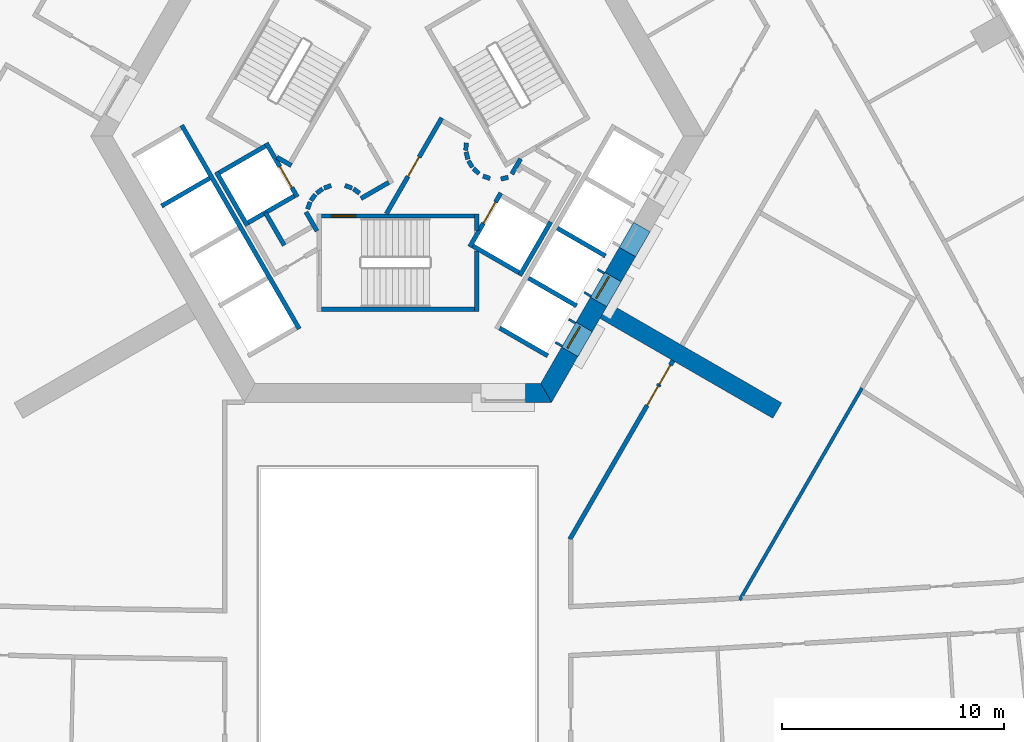
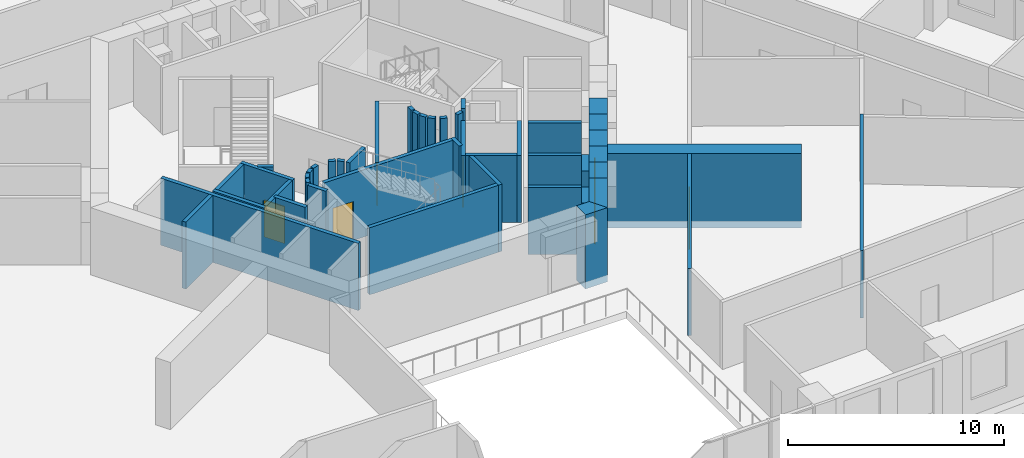
# One storey, part 6 of 15: 46 walls, 8 doors, 8 openings.
"""IFC4 building model written with IfcOpenShell, lengths in metres."""

from ifc_helpers import new_model, si_unit, direction, frame, frame_2d, origin, place, context, subcontext, project, spatial, polyline, rectangle, outline, extrude, material, layer, layer_set, type_object, element, fill, save


model = new_model("IFC4")

# Units and contexts
model_context = context("Model", 3, precision=1e-05, world=origin(), true_north=direction((0.0, 1.0)))
body_context = subcontext(model_context, "Body", "Model", "MODEL_VIEW")
ifc_project = project(units=[si_unit("LENGTHUNIT", "METRE"), si_unit("AREAUNIT", "SQUARE_METRE"), si_unit("VOLUMEUNIT", "CUBIC_METRE"), si_unit("PLANEANGLEUNIT", "RADIAN"), si_unit("MASSUNIT", "GRAM", prefix="KILO")], contexts=[model_context])

# Site, building, storey
site_placement = place(None, origin())
site = spatial("IfcSite", under=ifc_project, at=site_placement, CompositionType="ELEMENT")
building_placement = place(site_placement, origin())
building = spatial("IfcBuilding", under=site, at=building_placement, Name="Entoto Arch Interchange Tower", CompositionType="ELEMENT")
storey_placement = place(building_placement, frame((0.0, 0.0, 124.39990234375)))
storey = spatial("IfcBuildingStorey", under=building, at=storey_placement, Name="L27", CompositionType="ELEMENT", Elevation=124.39990234375)

# Walls
ifc_material_1 = material(Name="Concrete C60/75", Category="concrete")
ifc_layer_1 = layer(ifc_material_1, 0.800048828125)
ifc_layer_set_1 = layer_set([ifc_layer_1], Name="Concrete C60/75")
wall_type_1 = type_object("IfcWallType", Name="Buttress wall 800 C60/75", PredefinedType="SHEAR", material=ifc_layer_set_1)
wall_1_placement = place(storey_placement, frame((9.31005859375, -5.375, -0.39990234375), z_axis=(0.0, 0.0, 1.0), x_axis=(0.866017533419, -0.500013631625, 0.0)))
element("IfcWall", 1, at=wall_1_placement, inside=storey, type_object=wall_type_1, Name="Buttress wall SE L27", PredefinedType="SHEAR", context=body_context, shape_type="SweptSolid", body=[
    extrude(rectangle(XDim=8.999755859375, YDim=0.800048828125, at=frame_2d((4.5, 0.0))), origin(), (0.0, 0.0, 1.0), 4.199951171875),
])
ifc_layer_2 = layer(ifc_material_1, 0.85009765625)
ifc_layer_set_2 = layer_set([ifc_layer_2], Name="Concrete C60/75")
wall_type_2 = type_object("IfcWallType", Name="Core wall 850 C60/75", PredefinedType="SHEAR", material=ifc_layer_set_2)
wall_2_placement = place(storey_placement, frame((0.0, 0.0, -0.39990234375)))
element("IfcWall", 2, at=wall_2_placement, inside=storey, type_object=wall_type_2, Name="Core wall S L27", PredefinedType="SHEAR", context=body_context, shape_type="SweptSolid", body=[
    extrude(outline(polyline([(5.75, -8.64990234375), (5.75, -9.5), (6.927978515625, -9.5), (6.43701171875, -8.64990234375), (5.75, -8.64990234375)])), origin(), (0.0, 0.0, 1.0), 4.199951171875),
])
wall_3_placement = place(storey_placement, frame((0.0, 0.0, -0.39990234375)))
element("IfcWall", 3, at=wall_3_placement, inside=storey, type_object=wall_type_2, Name="Core wall SE L27", PredefinedType="SHEAR", context=body_context, shape_type="SweptSolid", body=[
    extrude(outline(polyline([(8.116943359375, -7.43994140625), (7.381103515625, -7.014892578125), (6.43701171875, -8.64990234375), (6.927978515625, -9.5), (8.116943359375, -7.43994140625)])), origin(), (0.0, 0.0, 1.0), 4.199951171875),
])
wall_4_placement = place(storey_placement, frame((0.0, 0.0, -0.39990234375)))
element("IfcWall", 4, at=wall_4_placement, inside=storey, type_object=wall_type_2, Name="Core wall SE L27", PredefinedType="SHEAR", context=body_context, shape_type="SweptSolid", body=[
    extrude(outline(polyline([(9.4169921875, -5.18896484375), (8.680908203125, -4.763916015625), (8.031005859375, -5.888916015625), (8.76708984375, -6.31396484375), (9.4169921875, -5.18896484375)])), origin(), (0.0, 0.0, 1.0), 4.199951171875),
])
wall_5_placement = place(storey_placement, frame((0.0, 0.0, -0.39990234375)))
element("IfcWall", 5, at=wall_5_placement, inside=storey, type_object=wall_type_2, Name="Core wall SE L27", PredefinedType="SHEAR", context=body_context, shape_type="SweptSolid", body=[
    extrude(outline(polyline([(10.717041015625, -2.93701171875), (9.98095703125, -2.511962890625), (9.3310546875, -3.637939453125), (10.06689453125, -4.06298828125), (10.717041015625, -2.93701171875)])), origin(), (0.0, 0.0, 1.0), 4.199951171875),
])
wall_6_placement = place(storey_placement, frame((0.0, 0.0, 3.60009765625)))
element("IfcWall", 6, at=wall_6_placement, inside=storey, type_object=wall_type_2, Name="Core wall lintel SE L27", PredefinedType="SHEAR", context=body_context, shape_type="SweptSolid", body=[
    extrude(outline(polyline([(8.76708984375, -6.31396484375), (8.031005859375, -5.888916015625), (7.381103515625, -7.014892578125), (8.116943359375, -7.43994140625), (8.76708984375, -6.31396484375)])), origin(), (0.0, 0.0, 1.0), 0.199951171875),
])
wall_7_placement = place(storey_placement, frame((0.0, 0.0, 3.60009765625)))
element("IfcWall", 7, at=wall_7_placement, inside=storey, type_object=wall_type_2, Name="Core wall lintel SE L27", PredefinedType="SHEAR", context=body_context, shape_type="SweptSolid", body=[
    extrude(outline(polyline([(10.06689453125, -4.06298828125), (9.3310546875, -3.637939453125), (8.680908203125, -4.763916015625), (9.4169921875, -5.18896484375), (10.06689453125, -4.06298828125)])), origin(), (0.0, 0.0, 1.0), 0.199951171875),
])
wall_8_placement = place(storey_placement, frame((0.0, 0.0, 3.60009765625)))
element("IfcWall", 8, at=wall_8_placement, inside=storey, type_object=wall_type_2, Name="Core wall lintel SE L27", PredefinedType="SHEAR", context=body_context, shape_type="SweptSolid", body=[
    extrude(outline(polyline([(11.366943359375, -1.81103515625), (10.631103515625, -1.385986328125), (9.98095703125, -2.511962890625), (10.717041015625, -2.93701171875), (11.366943359375, -1.81103515625)])), origin(), (0.0, 0.0, 1.0), 0.199951171875),
])

# Wall, opening, door
ifc_material_2 = material(Name="Concrete C40/50", Category="concrete")
ifc_layer_3 = layer(ifc_material_2, 1.199951171875)
ifc_layer_set_3 = layer_set([ifc_layer_3], Name="Concrete C40/50")
wall_type_3 = type_object("IfcWallType", Name="LIFT LANDING INFILL WALL", PredefinedType="STANDARD", material=ifc_layer_set_3)
wall_9_placement = place(storey_placement, frame((7.597900390625, -7.139892578125, 0.0), z_axis=(0.0, 0.0, 1.0), x_axis=(0.500362116554, 0.865816234728, 0.0)))
wall_9 = element("IfcWall", 9, at=wall_9_placement, inside=storey, type_object=wall_type_3, Name="Lift landing infill wall LR5 L27", PredefinedType="STANDARD", context=body_context, shape_type="SweptSolid", body=[
    extrude(rectangle(XDim=1.29931640625, YDim=1.199951171875, at=frame_2d((0.649658203125, 0.0))), origin(), (0.0, 0.0, 1.0), 2.400146484375),
])
opening_1_placement = place(wall_9_placement, frame((0.10009765625, 0.0, 0.0)))
opening_1 = element("IfcOpeningElement", 10, at=opening_1_placement, cuts=wall_9, Name="Opening LD-LR5-L27", PredefinedType="OPENING", context=body_context, shape_type="SweptSolid", body=[
    extrude(rectangle(XDim=1.10009765625, YDim=2.300048828125, at=frame_2d((0.550048828125, 1.14990234375))), frame((0.0, 0.60986328125, 0.0), z_axis=(0.0, -1.0, 0.0), x_axis=(1.0, 0.0, 0.0)), (0.0, 0.0, 1.0), 1.219970703125),
])
ifc_material_3 = material(Name="Stainless steel 1.4301 panels", Category="steel")
door_type_1 = type_object("IfcDoorType", Name="LIFT LANDING DOOR LD2 1100x2300", OperationType="SLIDING_TO_LEFT", PredefinedType="DOOR", material=ifc_material_3)
door_1_placement = place(opening_1_placement, origin())
door_1 = element("IfcDoor", 11, at=door_1_placement, inside=storey, type_object=door_type_1, Name="Lift landing door LR5 L27", OperationType="SLIDING_TO_LEFT", OverallHeight=2.300048828125, OverallWidth=1.10009765625, PredefinedType="DOOR", context=body_context, shape_type="SweptSolid", body=[
    extrude(rectangle(XDim=1.10009765625, YDim=2.300048828125, at=frame_2d((0.550048828125, 1.14990234375))), frame((0.0, 0.02490234375, 0.0), z_axis=(0.0, -1.0, 0.0), x_axis=(1.0, 0.0, 0.0)), (0.0, 0.0, 1.0), 0.050048828125),
])
fill(opening_1, door_1)

wall_10_placement = place(storey_placement, frame((8.89794921875, -4.888916015625, 0.0), z_axis=(0.0, 0.0, 1.0), x_axis=(0.500036693733, 0.866004217611, 0.0)))
wall_10 = element("IfcWall", 12, at=wall_10_placement, inside=storey, type_object=wall_type_3, Name="Lift landing infill wall LR6 L27", PredefinedType="STANDARD", context=body_context, shape_type="SweptSolid", body=[
    extrude(rectangle(XDim=1.30029296875, YDim=1.199951171875, at=frame_2d((0.650146484375, 0.0))), origin(), (0.0, 0.0, 1.0), 2.400146484375),
])
opening_2_placement = place(wall_10_placement, frame((0.10009765625, 0.0, 0.0)))
opening_2 = element("IfcOpeningElement", 13, at=opening_2_placement, cuts=wall_10, Name="Opening LD-LR6-L27", PredefinedType="OPENING", context=body_context, shape_type="SweptSolid", body=[
    extrude(rectangle(XDim=1.10009765625, YDim=2.300048828125, at=frame_2d((0.550048828125, 1.14990234375))), frame((0.0, 0.60986328125, 0.0), z_axis=(0.0, -1.0, 0.0), x_axis=(1.0, 0.0, 0.0)), (0.0, 0.0, 1.0), 1.219970703125),
])
door_2_placement = place(opening_2_placement, origin())
door_2 = element("IfcDoor", 14, at=door_2_placement, inside=storey, type_object=door_type_1, Name="Lift landing door LR6 L27", OperationType="SLIDING_TO_LEFT", OverallHeight=2.300048828125, OverallWidth=1.10009765625, PredefinedType="DOOR", context=body_context, shape_type="SweptSolid", body=[
    extrude(rectangle(XDim=1.10009765625, YDim=2.300048828125, at=frame_2d((0.550048828125, 1.14990234375))), frame((0.0, 0.02490234375, 0.0), z_axis=(0.0, -1.0, 0.0), x_axis=(1.0, 0.0, 0.0)), (0.0, 0.0, 1.0), 0.050048828125),
])
fill(opening_2, door_2)

ifc_layer_4 = layer(ifc_material_2, 0.199951171875)
ifc_layer_set_4 = layer_set([ifc_layer_4], Name="Concrete C40/50")
wall_type_4 = type_object("IfcWallType", Name="LIFT SHAFT WALL 200", PredefinedType="STANDARD", material=ifc_layer_set_4)
wall_11_placement = place(storey_placement, frame((-5.93994140625, 2.18798828125, 0.0), z_axis=(0.0, 0.0, 1.0), x_axis=(0.49994636267, -0.866056369097, 0.0)))
wall_11 = element("IfcWall", 15, at=wall_11_placement, inside=storey, type_object=wall_type_4, Name="Shaft wall SW1 front", PredefinedType="STANDARD", context=body_context, shape_type="SweptSolid", body=[
    extrude(rectangle(XDim=2.800048828125, YDim=0.199951171875, at=frame_2d((1.39990234375, 0.0))), origin(), (0.0, 0.0, 1.0), 3.800048828125),
])
opening_3_placement = place(wall_11_placement, frame((1.22509765625, 0.0, 0.0)))
opening_3 = element("IfcOpeningElement", 16, at=opening_3_placement, cuts=wall_11, Name="Opening LD-FF2-L27", PredefinedType="OPENING", context=body_context, shape_type="SweptSolid", body=[
    extrude(rectangle(XDim=1.10009765625, YDim=2.10009765625, at=frame_2d((0.550048828125, 1.050048828125))), frame((0.0, 0.10986328125, 0.0), z_axis=(0.0, -1.0, 0.0), x_axis=(1.0, 0.0, 0.0)), (0.0, 0.0, 1.0), 0.219970703125),
])
door_type_2 = type_object("IfcDoorType", Name="LIFT LANDING DOOR LD1 1100x2100", OperationType="SLIDING_TO_LEFT", PredefinedType="DOOR", material=ifc_material_3)
door_3_placement = place(opening_3_placement, origin())
door_3 = element("IfcDoor", 17, at=door_3_placement, inside=storey, type_object=door_type_2, Name="Lift landing door FF2 L27", OperationType="SLIDING_TO_LEFT", OverallHeight=2.10009765625, OverallWidth=1.10009765625, PredefinedType="DOOR", context=body_context, shape_type="SweptSolid", body=[
    extrude(rectangle(XDim=1.10009765625, YDim=2.10009765625, at=frame_2d((0.550048828125, 1.050048828125))), frame((0.0, 0.02490234375, 0.0), z_axis=(0.0, -1.0, 0.0), x_axis=(1.0, 0.0, 0.0)), (0.0, 0.0, 1.0), 0.050048828125),
])
fill(opening_3, door_3)

# Walls
wall_12_placement = place(storey_placement, frame((-8.19189453125, 0.887939453125, 0.0), z_axis=(0.0, 0.0, 1.0), x_axis=(0.49994636267, -0.866056369097, 0.0)))
element("IfcWall", 18, at=wall_12_placement, inside=storey, type_object=wall_type_4, Name="Shaft wall SW1 back", PredefinedType="STANDARD", context=body_context, shape_type="SweptSolid", body=[
    extrude(rectangle(XDim=2.800048828125, YDim=0.199951171875, at=frame_2d((1.39990234375, 0.0))), origin(), (0.0, 0.0, 1.0), 3.800048828125),
])
for number, where, z_axis, x_axis, name in (
    (19, (-5.97705078125, 2.052001953125, 0.0), (0.0, 0.0, 1.0), (-0.865973769406, -0.500089422704, 0.0), "Shaft wall SW1 cross 1"),
    (20, (-4.677001953125, -0.199951171875, 0.0), (0.0, 0.0, 1.0), (-0.865973769406, -0.500089422704, 0.0), "Shaft wall SW1 cross 2"),
):
    element("IfcWall", number, at=place(storey_placement, frame(where, z_axis=z_axis, x_axis=x_axis)), inside=storey, type_object=wall_type_4, Name=name, PredefinedType="STANDARD", context=body_context, shape_type="SweptSolid", body=[
        extrude(rectangle(XDim=2.3994140625, YDim=0.199951171875, at=frame_2d((1.19970703125, 0.0))), origin(), (0.0, 0.0, 1.0), 3.800048828125),
    ])
wall_13_placement = place(storey_placement, frame((-9.7509765625, 2.989990234375, 0.0), z_axis=(0.0, 0.0, 1.0), x_axis=(0.50000090737, -0.866024879913, 0.0)))
element("IfcWall", 21, at=wall_13_placement, inside=storey, type_object=wall_type_4, Name="Shaft wall SW3 front", PredefinedType="STANDARD", context=body_context, shape_type="SweptSolid", body=[
    extrude(rectangle(XDim=10.60009765625, YDim=0.199951171875, at=frame_2d((5.300048828125, 0.0))), origin(), (0.0, 0.0, 1.0), 3.800048828125),
])
wall_14_placement = place(storey_placement, frame((-8.488037109375, 0.60205078125, 0.0), z_axis=(0.0, 0.0, 1.0), x_axis=(-0.866022959057, -0.500004234368, 0.0)))
element("IfcWall", 22, at=wall_14_placement, inside=storey, type_object=wall_type_4, Name="Shaft wall SW3 cross 2", PredefinedType="STANDARD", context=body_context, shape_type="SweptSolid", body=[
    extrude(rectangle(XDim=2.5, YDim=0.199951171875, at=frame_2d((1.25, 0.0))), origin(), (0.0, 0.0, 1.0), 3.800048828125),
])

# Wall, opening, door
wall_15_placement = place(storey_placement, frame((3.239990234375, -2.488037109375, 0.0), z_axis=(0.0, 0.0, 1.0), x_axis=(0.49994636267, 0.866056369097, 0.0)))
wall_15 = element("IfcWall", 23, at=wall_15_placement, inside=storey, type_object=wall_type_4, Name="Shaft wall SE1 front", PredefinedType="STANDARD", context=body_context, shape_type="SweptSolid", body=[
    extrude(rectangle(XDim=2.800048828125, YDim=0.199951171875, at=frame_2d((1.39990234375, 0.0))), origin(), (0.0, 0.0, 1.0), 3.800048828125),
])
opening_4_placement = place(wall_15_placement, frame((1.22509765625, 0.0, 0.0)))
opening_4 = element("IfcOpeningElement", 24, at=opening_4_placement, cuts=wall_15, Name="Opening LD-FF1-L27", PredefinedType="OPENING", context=body_context, shape_type="SweptSolid", body=[
    extrude(rectangle(XDim=1.10009765625, YDim=2.10009765625, at=frame_2d((0.550048828125, 1.050048828125))), frame((0.0, 0.10986328125, 0.0), z_axis=(0.0, -1.0, 0.0), x_axis=(1.0, 0.0, 0.0)), (0.0, 0.0, 1.0), 0.219970703125),
])
door_4_placement = place(opening_4_placement, origin())
door_4 = element("IfcDoor", 25, at=door_4_placement, inside=storey, type_object=door_type_2, Name="Lift landing door FF1 L27", OperationType="SLIDING_TO_LEFT", OverallHeight=2.10009765625, OverallWidth=1.10009765625, PredefinedType="DOOR", context=body_context, shape_type="SweptSolid", body=[
    extrude(rectangle(XDim=1.10009765625, YDim=2.10009765625, at=frame_2d((0.550048828125, 1.050048828125))), frame((0.0, 0.02490234375, 0.0), z_axis=(0.0, -1.0, 0.0), x_axis=(1.0, 0.0, 0.0)), (0.0, 0.0, 1.0), 0.050048828125),
])
fill(opening_4, door_4)

# Walls
wall_16_placement = place(storey_placement, frame((5.491943359375, -3.7880859375, 0.0), z_axis=(0.0, 0.0, 1.0), x_axis=(0.500011755427, 0.866018616679, 0.0)))
element("IfcWall", 26, at=wall_16_placement, inside=storey, type_object=wall_type_4, Name="Shaft wall SE1 back", PredefinedType="STANDARD", context=body_context, shape_type="SweptSolid", body=[
    extrude(rectangle(XDim=2.80029296875, YDim=0.199951171875, at=frame_2d((1.400146484375, 0.0))), origin(), (0.0, 0.0, 1.0), 3.800048828125),
])
wall_17_placement = place(storey_placement, frame((3.376953125, -2.451904296875, 0.0), z_axis=(0.0, 0.0, 1.0), x_axis=(0.865955154139, -0.50012165622, 0.0)))
element("IfcWall", 27, at=wall_17_placement, inside=storey, type_object=wall_type_4, Name="Shaft wall SE1 cross 1", PredefinedType="STANDARD", context=body_context, shape_type="SweptSolid", body=[
    extrude(rectangle(XDim=2.39990234375, YDim=0.199951171875, at=frame_2d((1.199951171875, 0.0))), origin(), (0.0, 0.0, 1.0), 3.800048828125),
])
for number, where, z_axis, x_axis, name in (
    (28, (4.587890625, -6.153076171875, 0.0), (0.0, 0.0, 1.0), (0.866022959057, -0.500004234368, 0.0), "Shaft wall SE3 cross 1"),
    (29, (5.887939453125, -3.902099609375, 0.0), (0.0, 0.0, 1.0), (0.866022959057, -0.500004234368, 0.0), "Shaft wall SE3 cross 2"),
    (30, (7.18798828125, -1.64990234375, 0.0), (0.0, 0.0, 1.0), (0.866022959057, -0.500004234368, 0.0), "Shaft wall SE3 cross 3"),
):
    element("IfcWall", number, at=place(storey_placement, frame(where, z_axis=z_axis, x_axis=x_axis)), inside=storey, type_object=wall_type_4, Name=name, PredefinedType="STANDARD", context=body_context, shape_type="SweptSolid", body=[
        extrude(rectangle(XDim=2.5, YDim=0.199951171875, at=frame_2d((1.25, 0.0))), origin(), (0.0, 0.0, 1.0), 3.800048828125),
    ])
ifc_material_4 = material(Name="Gypsum board partition on steel studs", Category="steel")
ifc_layer_5 = layer(ifc_material_4, 0.14990234375)
ifc_layer_set_5 = layer_set([ifc_layer_5], Name="Gypsum board partition on steel studs")
wall_type_5 = type_object("IfcWallType", Name="PARTITION 150", PredefinedType="PARTITIONING", material=ifc_layer_set_5)
wall_18_placement = place(storey_placement, frame((20.924072265625, -8.85791015625, 0.0), z_axis=(0.0, 0.0, 1.0), x_axis=(-0.499996828157, -0.866027235041, 0.0)))
element("IfcWall", 31, at=wall_18_placement, inside=storey, type_object=wall_type_5, Name="wall:L27:p130", PredefinedType="PARTITIONING", context=body_context, shape_type="SweptSolid", body=[
    extrude(rectangle(XDim=11.0400390625, YDim=0.14990234375, at=frame_2d((5.52001953125, 0.0))), origin(), (0.0, 0.0, 1.0), 3.800048828125),
])
ifc_layer_6 = layer(ifc_material_4, 0.199951171875)
ifc_layer_set_6 = layer_set([ifc_layer_6], Name="Gypsum board partition on steel studs")
wall_type_6 = type_object("IfcWallType", Name="PARTITION 200", PredefinedType="PARTITIONING", material=ifc_layer_set_6)
wall_19_placement = place(storey_placement, frame((5.135009765625, 0.79296875, 0.0), z_axis=(0.0, 0.0, 1.0), x_axis=(0.499526442893, 0.866298639529, 0.0)))
element("IfcWall", 32, at=wall_19_placement, inside=storey, type_object=wall_type_6, Name="wall:L27:p089", PredefinedType="PARTITIONING", context=body_context, shape_type="SweptSolid", body=[
    extrude(rectangle(XDim=0.790771484375, YDim=0.199951171875, at=frame_2d((0.3955078125, 0.0))), origin(), (0.0, 0.0, 1.0), 3.800048828125),
])
wall_20_placement = place(storey_placement, frame((-5.1259765625, -2.422119140625, 0.0), z_axis=(0.0, 0.0, 1.0), x_axis=(-0.500062241894, 0.865989465428, 0.0)))
element("IfcWall", 33, at=wall_20_placement, inside=storey, type_object=wall_type_6, Name="wall:L27:p091", PredefinedType="PARTITIONING", context=body_context, shape_type="SweptSolid", body=[
    extrude(rectangle(XDim=1.699951171875, YDim=0.199951171875, at=frame_2d((0.85009765625, 0.0))), origin(), (0.0, 0.0, 1.0), 3.800048828125),
])
wall_21_placement = place(storey_placement, frame((-4.14501953125, -0.919921875, 0.0), z_axis=(0.0, 0.0, 1.0), x_axis=(0.499743786207, -0.866173278362, 0.0)))
element("IfcWall", 34, at=wall_21_placement, inside=storey, type_object=wall_type_6, Name="wall:L27:p094", PredefinedType="PARTITIONING", context=body_context, shape_type="SweptSolid", body=[
    extrude(rectangle(XDim=0.99072265625, YDim=0.199951171875, at=frame_2d((0.495361328125, 0.0))), origin(), (0.0, 0.0, 1.0), 3.800048828125),
])

# Wall, opening, door
wall_22_placement = place(storey_placement, frame((-0.52001953125, -1.0, 0.0), z_axis=(0.0, 0.0, 1.0), x_axis=(0.50011622646, 0.865958290007, 0.0)))
wall_22 = element("IfcWall", 35, at=wall_22_placement, inside=storey, type_object=wall_type_6, Name="wall:L27:p099", PredefinedType="PARTITIONING", context=body_context, shape_type="SweptSolid", body=[
    extrude(rectangle(XDim=4.990966796875, YDim=0.199951171875, at=frame_2d((2.49560546875, 0.0))), origin(), (0.0, 0.0, 1.0), 3.800048828125),
])
opening_5_placement = place(wall_22_placement, frame((1.945068359375, 0.0, 0.0)))
opening_5 = element("IfcOpeningElement", 36, at=opening_5_placement, cuts=wall_22, Name="Opening L27-D35", PredefinedType="OPENING", context=body_context, shape_type="SweptSolid", body=[
    extrude(rectangle(XDim=1.0, YDim=2.10009765625, at=frame_2d((0.5, 1.050048828125))), frame((0.0, 0.10986328125, 0.0), z_axis=(0.0, -1.0, 0.0), x_axis=(1.0, 0.0, 0.0)), (0.0, 0.0, 1.0), 0.219970703125),
])
ifc_material_5 = material(Name="Fire-rated Steel S235 door and frame", Category="steel")
door_type_3 = type_object("IfcDoorType", Name="DOOR FD-10 1000x2100", OperationType="SINGLE_SWING_LEFT", PredefinedType="DOOR", material=ifc_material_5)
door_5_placement = place(opening_5_placement, origin())
door_5 = element("IfcDoor", 37, at=door_5_placement, inside=storey, type_object=door_type_3, Name="door:L27:35", OperationType="SINGLE_SWING_LEFT", OverallHeight=2.10009765625, OverallWidth=1.0, PredefinedType="DOOR", context=body_context, shape_type="SweptSolid", body=[
    extrude(rectangle(XDim=1.0, YDim=2.10009765625, at=frame_2d((0.5, 1.050048828125))), frame((0.0, 0.02490234375, 0.0), z_axis=(0.0, -1.0, 0.0), x_axis=(1.0, 0.0, 0.0)), (0.0, 0.0, 1.0), 0.050048828125),
])
fill(opening_5, door_5)

# Walls
wall_23_placement = place(storey_placement, frame((3.0791015625, 2.198974609375, 0.0), z_axis=(0.0, 0.0, 1.0), x_axis=(-0.047771483479, -0.998858290933, 0.0)))
element("IfcWall", 38, at=wall_23_placement, inside=storey, type_object=wall_type_6, Name="wall:L27:p101", PredefinedType="PARTITIONING", context=body_context, shape_type="SweptSolid", body=[
    extrude(rectangle(XDim=0.33740234375, YDim=0.199951171875, at=frame_2d((0.168701171875, 0.0))), origin(), (0.0, 0.0, 1.0), 3.800048828125),
])
wall_24_placement = place(storey_placement, frame((3.070068359375, 1.785888671875, 0.0), z_axis=(0.0, 0.0, 1.0), x_axis=(0.242705583207, -0.970099994784, 0.0)))
element("IfcWall", 39, at=wall_24_placement, inside=storey, type_object=wall_type_6, Name="wall:L27:p102", PredefinedType="PARTITIONING", context=body_context, shape_type="SweptSolid", body=[
    extrude(rectangle(XDim=0.337890625, YDim=0.199951171875, at=frame_2d((0.1689453125, 0.0))), origin(), (0.0, 0.0, 1.0), 3.800048828125),
])
for number, where, z_axis, x_axis, name in (
    (40, (3.181884765625, 1.387939453125, 0.0), (0.0, 0.0, 1.0), (0.512474702713, -0.85870232274, 0.0), "wall:L27:p103"),
    (41, (3.404052734375, 1.0390625, 0.0), (0.0, 0.0, 1.0), (0.740267097712, -0.672312891476, 0.0), "wall:L27:p104"),
):
    element("IfcWall", number, at=place(storey_placement, frame(where, z_axis=z_axis, x_axis=x_axis)), inside=storey, type_object=wall_type_6, Name=name, PredefinedType="PARTITIONING", context=body_context, shape_type="SweptSolid", body=[
        extrude(rectangle(XDim=0.337646484375, YDim=0.199951171875, at=frame_2d((0.1689453125, 0.0))), origin(), (0.0, 0.0, 1.0), 3.800048828125),
    ])
wall_25_placement = place(storey_placement, frame((3.837890625, 0.701904296875, 0.0), z_axis=(0.0, 0.0, 1.0), x_axis=(0.941035081519, -0.338308993895, 0.0)))
element("IfcWall", 42, at=wall_25_placement, inside=storey, type_object=wall_type_6, Name="wall:L27:p105", PredefinedType="PARTITIONING", context=body_context, shape_type="SweptSolid", body=[
    extrude(rectangle(XDim=0.3369140625, YDim=0.199951171875, at=frame_2d((0.16845703125, 0.0))), origin(), (0.0, 0.0, 1.0), 3.800048828125),
])
wall_26_placement = place(storey_placement, frame((4.64404296875, 0.56396484375, 0.0), z_axis=(0.0, 0.0, 1.0), x_axis=(0.969929076366, 0.243387729394, 0.0)))
element("IfcWall", 43, at=wall_26_placement, inside=storey, type_object=wall_type_6, Name="wall:L27:p106", PredefinedType="PARTITIONING", context=body_context, shape_type="SweptSolid", body=[
    extrude(rectangle(XDim=0.337158203125, YDim=0.199951171875, at=frame_2d((0.16845703125, 0.0))), origin(), (0.0, 0.0, 1.0), 3.800048828125),
])
wall_27_placement = place(storey_placement, frame((-0.412109375, 0.4140625, 0.0), z_axis=(0.0, 0.0, 1.0), x_axis=(-0.866017369001, -0.500013916395, 0.0)))
element("IfcWall", 44, at=wall_27_placement, inside=storey, type_object=wall_type_6, Name="wall:L27:p108", PredefinedType="PARTITIONING", context=body_context, shape_type="SweptSolid", body=[
    extrude(rectangle(XDim=1.4501953125, YDim=0.199951171875, at=frame_2d((0.72509765625, 0.0))), origin(), (0.0, 0.0, 1.0), 3.800048828125),
])
wall_28_placement = place(storey_placement, frame((-1.73095703125, -0.076904296875, 0.0), z_axis=(0.0, 0.0, 1.0), x_axis=(-0.804311165252, 0.594208338422, 0.0)))
element("IfcWall", 45, at=wall_28_placement, inside=storey, type_object=wall_type_6, Name="wall:L27:p109", PredefinedType="PARTITIONING", context=body_context, shape_type="SweptSolid", body=[
    extrude(rectangle(XDim=0.338134765625, YDim=0.199951171875, at=frame_2d((0.1689453125, 0.0))), origin(), (0.0, 0.0, 1.0), 3.800048828125),
])
wall_29_placement = place(storey_placement, frame((-2.070068359375, 0.159912109375, 0.0), z_axis=(0.0, 0.0, 1.0), x_axis=(-0.942199461132, 0.335052496547, 0.0)))
element("IfcWall", 46, at=wall_29_placement, inside=storey, type_object=wall_type_6, Name="wall:L27:p110", PredefinedType="PARTITIONING", context=body_context, shape_type="SweptSolid", body=[
    extrude(rectangle(XDim=0.33740234375, YDim=0.199951171875, at=frame_2d((0.168701171875, 0.0))), origin(), (0.0, 0.0, 1.0), 3.800048828125),
])
wall_30_placement = place(storey_placement, frame((-3.011962890625, 0.27294921875, 0.0), z_axis=(0.0, 0.0, 1.0), x_axis=(-0.942280615813, -0.334824194261, 0.0)))
element("IfcWall", 47, at=wall_30_placement, inside=storey, type_object=wall_type_6, Name="wall:L27:p111", PredefinedType="PARTITIONING", context=body_context, shape_type="SweptSolid", body=[
    extrude(rectangle(XDim=0.337646484375, YDim=0.199951171875, at=frame_2d((0.1689453125, 0.0))), origin(), (0.0, 0.0, 1.0), 3.800048828125),
])
wall_31_placement = place(storey_placement, frame((-3.39697265625, 0.1240234375, 0.0), z_axis=(0.0, 0.0, 1.0), x_axis=(-0.804311165252, -0.594208338422, 0.0)))
element("IfcWall", 48, at=wall_31_placement, inside=storey, type_object=wall_type_6, Name="wall:L27:p112", PredefinedType="PARTITIONING", context=body_context, shape_type="SweptSolid", body=[
    extrude(rectangle(XDim=0.338134765625, YDim=0.199951171875, at=frame_2d((0.1689453125, 0.0))), origin(), (0.0, 0.0, 1.0), 3.800048828125),
])
wall_32_placement = place(storey_placement, frame((-3.722900390625, -0.131103515625, 0.0), z_axis=(0.0, 0.0, 1.0), x_axis=(-0.594675113454, -0.803966112121, 0.0)))
element("IfcWall", 49, at=wall_32_placement, inside=storey, type_object=wall_type_6, Name="wall:L27:p113", PredefinedType="PARTITIONING", context=body_context, shape_type="SweptSolid", body=[
    extrude(rectangle(XDim=0.33837890625, YDim=0.199951171875, at=frame_2d((0.169189453125, 0.0))), origin(), (0.0, 0.0, 1.0), 3.800048828125),
])
wall_33_placement = place(storey_placement, frame((-3.9599609375, -0.469970703125, 0.0), z_axis=(0.0, 0.0, 1.0), x_axis=(-0.334824194261, -0.942280615813, 0.0)))
element("IfcWall", 50, at=wall_33_placement, inside=storey, type_object=wall_type_6, Name="wall:L27:p114", PredefinedType="PARTITIONING", context=body_context, shape_type="SweptSolid", body=[
    extrude(rectangle(XDim=0.337646484375, YDim=0.199951171875, at=frame_2d((0.1689453125, 0.0))), origin(), (0.0, 0.0, 1.0), 3.800048828125),
])

# Wall, openings, doors
wall_34_placement = place(storey_placement, frame((12.40087890625, -7.62109375, 0.0), z_axis=(0.0, 0.0, 1.0), x_axis=(-0.499983724212, -0.866034800411, 0.0)))
wall_34 = element("IfcWall", 51, at=wall_34_placement, inside=storey, type_object=wall_type_6, Name="wall:L27:p122", PredefinedType="PARTITIONING", context=body_context, shape_type="SweptSolid", body=[
    extrude(rectangle(XDim=9.302001953125, YDim=0.199951171875, at=frame_2d((4.65087890625, 0.0))), origin(), (0.0, 0.0, 1.0), 3.800048828125),
])
opening_6_placement = place(wall_34_placement, frame((0.23095703125, 0.0, 0.0)))
opening_6 = element("IfcOpeningElement", 52, at=opening_6_placement, cuts=wall_34, Name="Opening L27-D22", PredefinedType="OPENING", context=body_context, shape_type="SweptSolid", body=[
    extrude(rectangle(XDim=1.0, YDim=2.10009765625, at=frame_2d((0.5, 1.050048828125))), frame((0.0, 0.10986328125, 0.0), z_axis=(0.0, -1.0, 0.0), x_axis=(1.0, 0.0, 0.0)), (0.0, 0.0, 1.0), 0.219970703125),
])
opening_7_placement = place(wall_34_placement, frame((1.3310546875, 0.0, 0.0)))
opening_7 = element("IfcOpeningElement", 53, at=opening_7_placement, cuts=wall_34, Name="Opening L27-D39", PredefinedType="OPENING", context=body_context, shape_type="SweptSolid", body=[
    extrude(rectangle(XDim=1.0, YDim=2.10009765625, at=frame_2d((0.5, 1.050048828125))), frame((0.0, 0.10986328125, 0.0), z_axis=(0.0, -1.0, 0.0), x_axis=(1.0, 0.0, 0.0)), (0.0, 0.0, 1.0), 0.219970703125),
])
ifc_material_6 = material(Name="Timber door leaf in Steel S235 frame", Category="steel")
door_type_4 = type_object("IfcDoorType", Name="DOOR DS-10 1000x2100", OperationType="SINGLE_SWING_LEFT", PredefinedType="DOOR", material=ifc_material_6)
door_6_placement = place(opening_6_placement, origin())
door_6 = element("IfcDoor", 54, at=door_6_placement, inside=storey, type_object=door_type_4, Name="door:L27:22", OperationType="SINGLE_SWING_LEFT", OverallHeight=2.10009765625, OverallWidth=1.0, PredefinedType="DOOR", context=body_context, shape_type="SweptSolid", body=[
    extrude(rectangle(XDim=1.0, YDim=2.10009765625, at=frame_2d((0.5, 1.050048828125))), frame((0.0, 0.02490234375, 0.0), z_axis=(0.0, -1.0, 0.0), x_axis=(1.0, 0.0, 0.0)), (0.0, 0.0, 1.0), 0.050048828125),
])
fill(opening_6, door_6)
door_7_placement = place(opening_7_placement, origin())
door_7 = element("IfcDoor", 55, at=door_7_placement, inside=storey, type_object=door_type_4, Name="door:L27:39", OperationType="SINGLE_SWING_RIGHT", OverallHeight=2.10009765625, OverallWidth=1.0, PredefinedType="DOOR", context=body_context, shape_type="SweptSolid", body=[
    extrude(rectangle(XDim=1.0, YDim=2.10009765625, at=frame_2d((0.5, 1.050048828125))), frame((0.0, 0.02490234375, 0.0), z_axis=(0.0, -1.0, 0.0), x_axis=(1.0, 0.0, 0.0)), (0.0, 0.0, 1.0), 0.050048828125),
])
fill(opening_7, door_7)

# Walls
ifc_layer_7 = layer(ifc_material_2, 0.199951171875)
ifc_layer_set_7 = layer_set([ifc_layer_7], Name="Concrete C40/50")
wall_type_7 = type_object("IfcWallType", Name="STAIR ENCLOSURE WALL 200", PredefinedType="STANDARD", material=ifc_layer_set_7)
wall_35_placement = place(storey_placement, frame((3.550048828125, -2.6669921875, 0.0), z_axis=(0.0, 0.0, 1.0), x_axis=(0.0, -1.0, 0.0)))
element("IfcWall", 56, at=wall_35_placement, inside=storey, type_object=wall_type_7, Name="Stair wall ST-S far", PredefinedType="STANDARD", context=body_context, shape_type="SweptSolid", body=[
    extrude(rectangle(XDim=2.73291015625, YDim=0.199951171875, at=frame_2d((1.366455078125, 0.0))), origin(), (0.0, 0.0, 1.0), 3.800048828125),
])
wall_36_placement = place(storey_placement, frame((3.550048828125, -1.0, 0.0), z_axis=(0.0, 0.0, 1.0), x_axis=(0.0, -1.0, 0.0)))
element("IfcWall", 57, at=wall_36_placement, inside=storey, type_object=wall_type_7, Name="Stair wall ST-S far return", PredefinedType="STANDARD", context=body_context, shape_type="SweptSolid", body=[
    extrude(rectangle(XDim=0.7509765625, YDim=0.199951171875, at=frame_2d((0.37548828125, 0.0))), origin(), (0.0, 0.0, 1.0), 3.800048828125),
])

# Wall, opening, door
wall_37_placement = place(storey_placement, frame((-3.449951171875, -1.10009765625, 0.0), z_axis=(0.0, 0.0, 1.0), x_axis=(1.0, 0.0, 0.0)))
wall_37 = element("IfcWall", 58, at=wall_37_placement, inside=storey, type_object=wall_type_7, Name="Stair wall ST-S hall", PredefinedType="STANDARD", context=body_context, shape_type="SweptSolid", body=[
    extrude(rectangle(XDim=6.89990234375, YDim=0.199951171875, at=frame_2d((3.449951171875, 0.0))), origin(), (0.0, 0.0, 1.0), 3.800048828125),
])
opening_8_placement = place(wall_37_placement, frame((0.449951171875, 0.0, 0.0)))
opening_8 = element("IfcOpeningElement", 59, at=opening_8_placement, cuts=wall_37, Name="Opening SD-ST-S-L27", PredefinedType="OPENING", context=body_context, shape_type="SweptSolid", body=[
    extrude(rectangle(XDim=1.10009765625, YDim=2.199951171875, at=frame_2d((0.550048828125, 1.10009765625))), frame((0.0, 0.10986328125, 0.0), z_axis=(0.0, -1.0, 0.0), x_axis=(1.0, 0.0, 0.0)), (0.0, 0.0, 1.0), 0.219970703125),
])
ifc_material_7 = material(Name="Steel S235", Category="steel")
door_type_5 = type_object("IfcDoorType", Name="STAIR DOOR SD1 1100x2200", OperationType="SINGLE_SWING_LEFT", PredefinedType="DOOR", material=ifc_material_7)
door_8_placement = place(opening_8_placement, origin())
door_8 = element("IfcDoor", 60, at=door_8_placement, inside=storey, type_object=door_type_5, Name="Stair door ST-S L27", OperationType="SINGLE_SWING_LEFT", OverallHeight=2.199951171875, OverallWidth=1.10009765625, PredefinedType="DOOR", context=body_context, shape_type="SweptSolid", body=[
    extrude(rectangle(XDim=1.10009765625, YDim=2.199951171875, at=frame_2d((0.550048828125, 1.10009765625))), frame((0.0, 0.02490234375, 0.0), z_axis=(0.0, -1.0, 0.0), x_axis=(1.0, 0.0, 0.0)), (0.0, 0.0, 1.0), 0.050048828125),
])
fill(opening_8, door_8)

# Walls
wall_38_placement = place(storey_placement, frame((-3.449951171875, -5.300048828125, 0.0), z_axis=(0.0, 0.0, 1.0), x_axis=(1.0, 0.0, 0.0)))
element("IfcWall", 61, at=wall_38_placement, inside=storey, type_object=wall_type_7, Name="Stair wall ST-S back", PredefinedType="STANDARD", context=body_context, shape_type="SweptSolid", body=[
    extrude(rectangle(XDim=6.89990234375, YDim=0.199951171875, at=frame_2d((3.449951171875, 0.0))), origin(), (0.0, 0.0, 1.0), 3.800048828125),
])
wall_39_placement = place(storey_placement, frame((-4.805908203125, 1.176025390625, 0.0), z_axis=(0.0, 0.0, 1.0), x_axis=(-0.866558586415, 0.499075361355, 0.0)))
element("IfcWall", 62, at=wall_39_placement, inside=storey, type_object=wall_type_7, Name="Stair wall ST-NW far return", PredefinedType="STANDARD", context=body_context, shape_type="SweptSolid", body=[
    extrude(rectangle(XDim=0.75146484375, YDim=0.199951171875, at=frame_2d((0.375732421875, 0.0))), origin(), (0.0, 0.0, 1.0), 3.800048828125),
])

save(model, "model.ifc")
